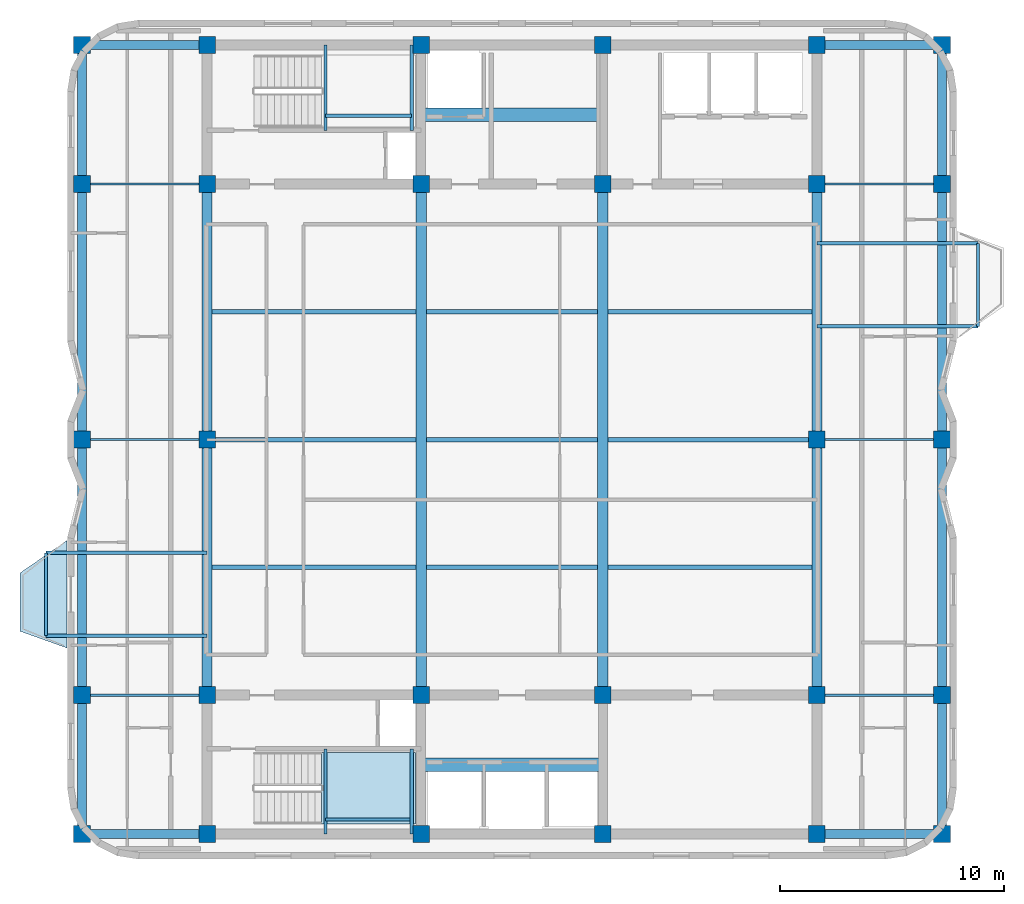
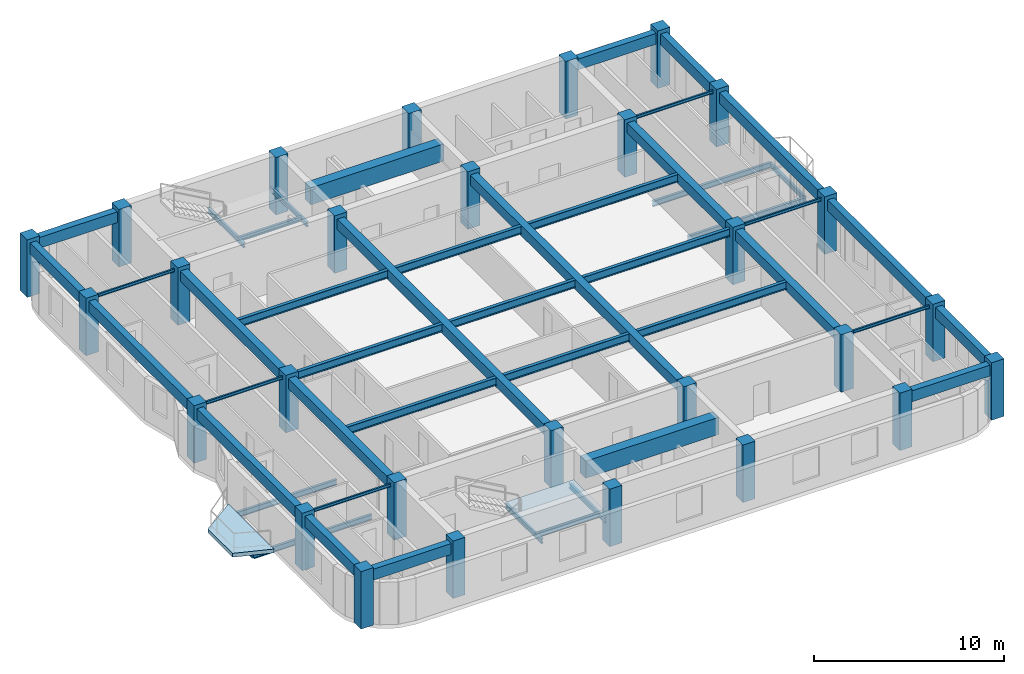
# One storey, part 1 of 8: 47 beams, 28 columns, 2 slabs, 1 element without a shape of its own.
"""IFC4 building model written with IfcOpenShell, lengths in metres."""

from ifc_helpers import new_model, si_unit, direction, frame, origin, origin_2d, place, context, subcontext, project, spatial, polyline, rectangle, i_section, outline, extrude, material, layer, layer_set, material_profile, profile_set, type_object, element, aggregate, save


model = new_model("IFC4")

# Units and contexts
model_context = context("Model", 3, precision=1e-05, world=origin(), true_north=direction((0.0, 1.0)))
body_context = subcontext(model_context, "Body", "Model", "MODEL_VIEW")
ifc_project = project(units=[si_unit("LENGTHUNIT", "METRE"), si_unit("AREAUNIT", "SQUARE_METRE"), si_unit("VOLUMEUNIT", "CUBIC_METRE"), si_unit("PLANEANGLEUNIT", "RADIAN"), si_unit("MASSUNIT", "GRAM", prefix="KILO")], contexts=[model_context])

# Site, building, storey
site_placement = place(None, origin())
site = spatial("IfcSite", under=ifc_project, at=site_placement, CompositionType="ELEMENT")
building_placement = place(site_placement, origin())
building = spatial("IfcBuilding", under=site, at=building_placement, Name="Svetorya Sky Lyceum", CompositionType="ELEMENT")
storey_placement = place(building_placement, frame((0.0, 0.0, 263.89990234375)))
storey = spatial("IfcBuildingStorey", under=building, at=storey_placement, Name="L66", CompositionType="ELEMENT", Elevation=263.89990234375)

# Columns
ifc_material_1 = material(Name="Concrete C40/50", Category="concrete")
ifc_material_profile_1 = material_profile(ifc_material_1, rectangle(XDim=0.75, YDim=0.75, at=origin_2d()), Name="RC COL 750x750")
ifc_profile_set_1 = profile_set([ifc_material_profile_1], Name="Concrete C40/50")
column_type = type_object("IfcColumnType", Name="COL-RC-750", PredefinedType="COLUMN", material=ifc_profile_set_1)
for number, where, z_axis, x_axis, name in (
    (1, (25.60009765625, 10.60009765625, 0.0), (0.0, 0.0, 1.0), (1.0, 0.0, 0.0), "L66 Core Column CS-11"),
    (2, (25.60009765625, 16.800048828125, 0.0), (0.0, 0.0, 1.0), (1.0, 0.0, 0.0), "L66 Core Column CS-12"),
    (3, (35.14990234375, 10.60009765625, 0.0), (0.0, 0.0, 1.0), (1.0, 0.0, 0.0), "L66 Core Column CS-21"),
    (4, (35.14990234375, 16.800048828125, 0.0), (0.0, 0.0, 1.0), (1.0, 0.0, 0.0), "L66 Core Column CS-22"),
    (5, (43.25, 10.60009765625, 0.0), (0.0, 0.0, 1.0), (1.0, 0.0, 0.0), "L66 Core Column CS-31"),
    (6, (43.25, 16.800048828125, 0.0), (0.0, 0.0, 1.0), (1.0, 0.0, 0.0), "L66 Core Column CS-32"),
    (7, (52.800048828125, 10.60009765625, 0.0), (0.0, 0.0, 1.0), (1.0, 0.0, 0.0), "L66 Core Column CS-41"),
    (8, (52.800048828125, 16.800048828125, 0.0), (0.0, 0.0, 1.0), (1.0, 0.0, 0.0), "L66 Core Column CS-42"),
    (9, (25.60009765625, 39.60009765625, 0.0), (0.0, 0.0, 1.0), (1.0, 0.0, 0.0), "L66 Core Column CN-11"),
    (10, (25.60009765625, 45.800048828125, 0.0), (0.0, 0.0, 1.0), (1.0, 0.0, 0.0), "L66 Core Column CN-12"),
    (11, (35.14990234375, 39.60009765625, 0.0), (0.0, 0.0, 1.0), (1.0, 0.0, 0.0), "L66 Core Column CN-21"),
    (12, (35.14990234375, 45.800048828125, 0.0), (0.0, 0.0, 1.0), (1.0, 0.0, 0.0), "L66 Core Column CN-22"),
    (13, (43.25, 39.60009765625, 0.0), (0.0, 0.0, 1.0), (1.0, 0.0, 0.0), "L66 Core Column CN-31"),
    (14, (43.25, 45.800048828125, 0.0), (0.0, 0.0, 1.0), (1.0, 0.0, 0.0), "L66 Core Column CN-32"),
    (15, (52.800048828125, 39.60009765625, 0.0), (0.0, 0.0, 1.0), (1.0, 0.0, 0.0), "L66 Core Column CN-41"),
    (16, (52.800048828125, 45.800048828125, 0.0), (0.0, 0.0, 1.0), (1.0, 0.0, 0.0), "L66 Core Column CN-42"),
    (17, (25.60009765625, 28.199951171875, 0.0), (0.0, 0.0, 1.0), (1.0, 0.0, 0.0), "L66 Core Column CM-W"),
    (18, (52.800048828125, 28.199951171875, 0.0), (0.0, 0.0, 1.0), (1.0, 0.0, 0.0), "L66 Core Column CM-E"),
    (19, (20.010009765625, 10.60009765625, 0.0), (0.0, 0.0, 1.0), (1.0, 0.0, 0.0), "L66 Perimeter Column W1"),
    (20, (58.389892578125, 10.60009765625, 0.0), (0.0, 0.0, 1.0), (1.0, 0.0, 0.0), "L66 Perimeter Column E1"),
    (21, (20.010009765625, 16.800048828125, 0.0), (0.0, 0.0, 1.0), (1.0, 0.0, 0.0), "L66 Perimeter Column W2"),
    (22, (58.389892578125, 16.800048828125, 0.0), (0.0, 0.0, 1.0), (1.0, 0.0, 0.0), "L66 Perimeter Column E2"),
    (23, (20.010009765625, 28.199951171875, 0.0), (0.0, 0.0, 1.0), (1.0, 0.0, 0.0), "L66 Perimeter Column W3"),
    (24, (58.389892578125, 28.199951171875, 0.0), (0.0, 0.0, 1.0), (1.0, 0.0, 0.0), "L66 Perimeter Column E3"),
    (25, (20.010009765625, 39.60009765625, 0.0), (0.0, 0.0, 1.0), (1.0, 0.0, 0.0), "L66 Perimeter Column W4"),
    (26, (58.389892578125, 39.60009765625, 0.0), (0.0, 0.0, 1.0), (1.0, 0.0, 0.0), "L66 Perimeter Column E4"),
    (27, (20.010009765625, 45.800048828125, 0.0), (0.0, 0.0, 1.0), (1.0, 0.0, 0.0), "L66 Perimeter Column W5"),
    (28, (58.389892578125, 45.800048828125, 0.0), (0.0, 0.0, 1.0), (1.0, 0.0, 0.0), "L66 Perimeter Column E5"),
):
    element("IfcColumn", number, at=place(storey_placement, frame(where, z_axis=z_axis, x_axis=x_axis)), inside=storey, type_object=column_type, Name=name, PredefinedType="COLUMN", context=body_context, shape_type="SweptSolid", body=[
        extrude(rectangle(XDim=0.75, YDim=0.75, at=origin_2d()), origin(), (0.0, 0.0, 1.0), 3.7001953125),
    ])

# Beams
ifc_material_2 = material(Name="Concrete C60/75", Category="concrete")
ifc_material_profile_2 = material_profile(ifc_material_2, rectangle(XDim=0.60009765625, YDim=1.10009765625, at=origin_2d()), Name="RC COUPLING 600x1100")
ifc_profile_set_2 = profile_set([ifc_material_profile_2], Name="Concrete C60/75")
beam_type_1 = type_object("IfcBeamType", Name="BM-CPL-1100", PredefinedType="LINTEL", material=ifc_profile_set_2)
for number, where, z_axis, x_axis, name in (
    (29, (35.14990234375, 13.699951171875, 2.900146484375), (1.0, 0.0, 0.0), (0.0, 1.0, 0.0), "L66 SC Core Coupling Beam"),
    (30, (35.14990234375, 42.699951171875, 2.900146484375), (1.0, 0.0, 0.0), (0.0, 1.0, 0.0), "L66 NC Core Coupling Beam"),
):
    element("IfcBeam", number, at=place(storey_placement, frame(where, z_axis=z_axis, x_axis=x_axis)), inside=storey, type_object=beam_type_1, Name=name, PredefinedType="LINTEL", context=body_context, shape_type="SweptSolid", body=[
        extrude(rectangle(XDim=0.60009765625, YDim=1.10009765625, at=origin_2d()), origin(), (0.0, 0.0, 1.0), 8.10009765625),
    ])
ifc_material_profile_3 = material_profile(ifc_material_1, rectangle(XDim=0.449951171875, YDim=0.64990234375, at=origin_2d()), Name="RC BEAM 450x650")
ifc_profile_set_3 = profile_set([ifc_material_profile_3], Name="Concrete C40/50")
beam_type_2 = type_object("IfcBeamType", Name="BM-RC-650", PredefinedType="BEAM", material=ifc_profile_set_3)
beam_1_placement = place(storey_placement, frame((25.60009765625, 16.800048828125, 3.125), z_axis=(0.0, 1.0, 0.0), x_axis=(-1.0, 0.0, 0.0)))
element("IfcBeam", 31, at=beam_1_placement, inside=storey, type_object=beam_type_2, Name="L66 Central Bay Primary Girder CG-1A", PredefinedType="BEAM", context=body_context, shape_type="SweptSolid", body=[
    extrude(rectangle(XDim=0.449951171875, YDim=0.64990234375, at=origin_2d()), origin(), (0.0, 0.0, 1.0), 11.39990234375),
])
beam_2_placement = place(storey_placement, frame((25.60009765625, 28.199951171875, 3.125), z_axis=(0.0, 1.0, 0.0), x_axis=(-1.0, 0.0, 0.0)))
element("IfcBeam", 32, at=beam_2_placement, inside=storey, type_object=beam_type_2, Name="L66 Central Bay Primary Girder CG-1B", PredefinedType="BEAM", context=body_context, shape_type="SweptSolid", body=[
    extrude(rectangle(XDim=0.449951171875, YDim=0.64990234375, at=origin_2d()), origin(), (0.0, 0.0, 1.0), 11.400146484375),
])
for number, where, z_axis, x_axis, name in (
    (33, (35.14990234375, 16.800048828125, 3.125), (0.0, 1.0, 0.0), (-1.0, 0.0, 0.0), "L66 Central Bay Primary Girder CG-2"),
    (34, (43.25, 16.800048828125, 3.125), (0.0, 1.0, 0.0), (-1.0, 0.0, 0.0), "L66 Central Bay Primary Girder CG-3"),
):
    element("IfcBeam", number, at=place(storey_placement, frame(where, z_axis=z_axis, x_axis=x_axis)), inside=storey, type_object=beam_type_2, Name=name, PredefinedType="BEAM", context=body_context, shape_type="SweptSolid", body=[
        extrude(rectangle(XDim=0.449951171875, YDim=0.64990234375, at=origin_2d()), origin(), (0.0, 0.0, 1.0), 22.800048828125),
    ])
beam_3_placement = place(storey_placement, frame((52.800048828125, 16.800048828125, 3.125), z_axis=(0.0, 1.0, 0.0), x_axis=(-1.0, 0.0, 0.0)))
element("IfcBeam", 35, at=beam_3_placement, inside=storey, type_object=beam_type_2, Name="L66 Central Bay Primary Girder CG-4A", PredefinedType="BEAM", context=body_context, shape_type="SweptSolid", body=[
    extrude(rectangle(XDim=0.449951171875, YDim=0.64990234375, at=origin_2d()), origin(), (0.0, 0.0, 1.0), 11.39990234375),
])
beam_4_placement = place(storey_placement, frame((52.800048828125, 28.199951171875, 3.125), z_axis=(0.0, 1.0, 0.0), x_axis=(-1.0, 0.0, 0.0)))
element("IfcBeam", 36, at=beam_4_placement, inside=storey, type_object=beam_type_2, Name="L66 Central Bay Primary Girder CG-4B", PredefinedType="BEAM", context=body_context, shape_type="SweptSolid", body=[
    extrude(rectangle(XDim=0.449951171875, YDim=0.64990234375, at=origin_2d()), origin(), (0.0, 0.0, 1.0), 11.400146484375),
])
ifc_material_3 = material(Name="Concrete C50/60", Category="concrete")
ifc_material_profile_4 = material_profile(ifc_material_3, rectangle(XDim=0.39990234375, YDim=0.699951171875, at=origin_2d()), Name="RC SPANDREL 400x700")
ifc_profile_set_4 = profile_set([ifc_material_profile_4], Name="Concrete C50/60")
beam_type_3 = type_object("IfcBeamType", Name="BM-SPN-700", PredefinedType="SPANDREL", material=ifc_profile_set_4)
for number, where, z_axis, x_axis, name in (
    (37, (20.010009765625, 10.60009765625, 3.10009765625), (1.0, 0.0, 0.0), (0.0, 1.0, 0.0), "L66 Tie Spandrel SW"),
    (38, (20.010009765625, 45.800048828125, 3.10009765625), (1.0, 0.0, 0.0), (0.0, 1.0, 0.0), "L66 Tie Spandrel NW"),
):
    element("IfcBeam", number, at=place(storey_placement, frame(where, z_axis=z_axis, x_axis=x_axis)), inside=storey, type_object=beam_type_3, Name=name, PredefinedType="SPANDREL", context=body_context, shape_type="SweptSolid", body=[
        extrude(rectangle(XDim=0.39990234375, YDim=0.699951171875, at=origin_2d()), origin(), (0.0, 0.0, 1.0), 5.590087890625),
    ])
for number, where, z_axis, x_axis, name in (
    (39, (52.800048828125, 10.60009765625, 3.10009765625), (1.0, 0.0, 0.0), (0.0, 1.0, 0.0), "L66 Tie Spandrel SE"),
    (40, (52.800048828125, 45.800048828125, 3.10009765625), (1.0, 0.0, 0.0), (0.0, 1.0, 0.0), "L66 Tie Spandrel NE"),
):
    element("IfcBeam", number, at=place(storey_placement, frame(where, z_axis=z_axis, x_axis=x_axis)), inside=storey, type_object=beam_type_3, Name=name, PredefinedType="SPANDREL", context=body_context, shape_type="SweptSolid", body=[
        extrude(rectangle(XDim=0.39990234375, YDim=0.699951171875, at=origin_2d()), origin(), (0.0, 0.0, 1.0), 5.58984375),
    ])
beam_5_placement = place(storey_placement, frame((20.010009765625, 10.60009765625, 3.10009765625), z_axis=(0.0, 1.0, 0.0), x_axis=(-1.0, 0.0, 0.0)))
element("IfcBeam", 41, at=beam_5_placement, inside=storey, type_object=beam_type_3, Name="L66 West Spandrel 1", PredefinedType="SPANDREL", context=body_context, shape_type="SweptSolid", body=[
    extrude(rectangle(XDim=0.39990234375, YDim=0.699951171875, at=origin_2d()), origin(), (0.0, 0.0, 1.0), 6.199951171875),
])
beam_6_placement = place(storey_placement, frame((20.010009765625, 16.800048828125, 3.10009765625), z_axis=(0.0, 1.0, 0.0), x_axis=(-1.0, 0.0, 0.0)))
element("IfcBeam", 42, at=beam_6_placement, inside=storey, type_object=beam_type_3, Name="L66 West Spandrel 2", PredefinedType="SPANDREL", context=body_context, shape_type="SweptSolid", body=[
    extrude(rectangle(XDim=0.39990234375, YDim=0.699951171875, at=origin_2d()), origin(), (0.0, 0.0, 1.0), 11.39990234375),
])
beam_7_placement = place(storey_placement, frame((20.010009765625, 28.199951171875, 3.10009765625), z_axis=(0.0, 1.0, 0.0), x_axis=(-1.0, 0.0, 0.0)))
element("IfcBeam", 43, at=beam_7_placement, inside=storey, type_object=beam_type_3, Name="L66 West Spandrel 3", PredefinedType="SPANDREL", context=body_context, shape_type="SweptSolid", body=[
    extrude(rectangle(XDim=0.39990234375, YDim=0.699951171875, at=origin_2d()), origin(), (0.0, 0.0, 1.0), 11.400146484375),
])
for number, where, z_axis, x_axis, name in (
    (44, (20.010009765625, 39.60009765625, 3.10009765625), (0.0, 1.0, 0.0), (-1.0, 0.0, 0.0), "L66 West Spandrel 4"),
    (45, (58.389892578125, 10.60009765625, 3.10009765625), (0.0, 1.0, 0.0), (-1.0, 0.0, 0.0), "L66 East Spandrel 1"),
):
    element("IfcBeam", number, at=place(storey_placement, frame(where, z_axis=z_axis, x_axis=x_axis)), inside=storey, type_object=beam_type_3, Name=name, PredefinedType="SPANDREL", context=body_context, shape_type="SweptSolid", body=[
        extrude(rectangle(XDim=0.39990234375, YDim=0.699951171875, at=origin_2d()), origin(), (0.0, 0.0, 1.0), 6.199951171875),
    ])
beam_8_placement = place(storey_placement, frame((58.389892578125, 16.800048828125, 3.10009765625), z_axis=(0.0, 1.0, 0.0), x_axis=(-1.0, 0.0, 0.0)))
element("IfcBeam", 46, at=beam_8_placement, inside=storey, type_object=beam_type_3, Name="L66 East Spandrel 2", PredefinedType="SPANDREL", context=body_context, shape_type="SweptSolid", body=[
    extrude(rectangle(XDim=0.39990234375, YDim=0.699951171875, at=origin_2d()), origin(), (0.0, 0.0, 1.0), 11.39990234375),
])
beam_9_placement = place(storey_placement, frame((58.389892578125, 28.199951171875, 3.10009765625), z_axis=(0.0, 1.0, 0.0), x_axis=(-1.0, 0.0, 0.0)))
element("IfcBeam", 47, at=beam_9_placement, inside=storey, type_object=beam_type_3, Name="L66 East Spandrel 3", PredefinedType="SPANDREL", context=body_context, shape_type="SweptSolid", body=[
    extrude(rectangle(XDim=0.39990234375, YDim=0.699951171875, at=origin_2d()), origin(), (0.0, 0.0, 1.0), 11.400146484375),
])
beam_10_placement = place(storey_placement, frame((58.389892578125, 39.60009765625, 3.10009765625), z_axis=(0.0, 1.0, 0.0), x_axis=(-1.0, 0.0, 0.0)))
element("IfcBeam", 48, at=beam_10_placement, inside=storey, type_object=beam_type_3, Name="L66 East Spandrel 4", PredefinedType="SPANDREL", context=body_context, shape_type="SweptSolid", body=[
    extrude(rectangle(XDim=0.39990234375, YDim=0.699951171875, at=origin_2d()), origin(), (0.0, 0.0, 1.0), 6.199951171875),
])
ifc_material_4 = material(Name="Steel S355", Category="steel")
ifc_material_profile_5 = material_profile(ifc_material_4, i_section(OverallWidth=0.10009765625, OverallDepth=0.199951171875, WebThickness=0.005615234375, FlangeThickness=0.008544921875, at=origin_2d()), Name="GOST 20B1")
ifc_profile_set_5 = profile_set([ifc_material_profile_5], Name="Steel S355")
beam_type_4 = type_object("IfcBeamType", Name="BM-STL-20B1", PredefinedType="JOIST", material=ifc_profile_set_5)
beam_11_placement = place(storey_placement, frame((20.010009765625, 16.800048828125, 3.35009765625), z_axis=(1.0, 0.0, 0.0), x_axis=(0.0, 1.0, 0.0)))
element("IfcBeam", 49, at=beam_11_placement, inside=storey, type_object=beam_type_4, Name="L66 West Wing Floor Joist W2", PredefinedType="JOIST", context=body_context, shape_type="SweptSolid", body=[
    extrude(i_section(OverallWidth=0.10009765625, OverallDepth=0.199951171875, WebThickness=0.005615234375, FlangeThickness=0.008544921875, at=origin_2d()), origin(), (0.0, 0.0, 1.0), 5.590087890625),
])
beam_12_placement = place(storey_placement, frame((52.800048828125, 16.800048828125, 3.35009765625), z_axis=(1.0, 0.0, 0.0), x_axis=(0.0, 1.0, 0.0)))
element("IfcBeam", 50, at=beam_12_placement, inside=storey, type_object=beam_type_4, Name="L66 East Wing Floor Joist E2", PredefinedType="JOIST", context=body_context, shape_type="SweptSolid", body=[
    extrude(i_section(OverallWidth=0.10009765625, OverallDepth=0.199951171875, WebThickness=0.005615234375, FlangeThickness=0.008544921875, at=origin_2d()), origin(), (0.0, 0.0, 1.0), 5.58984375),
])
beam_13_placement = place(storey_placement, frame((20.010009765625, 28.199951171875, 3.35009765625), z_axis=(1.0, 0.0, 0.0), x_axis=(0.0, 1.0, 0.0)))
element("IfcBeam", 51, at=beam_13_placement, inside=storey, type_object=beam_type_4, Name="L66 West Wing Floor Joist W3", PredefinedType="JOIST", context=body_context, shape_type="SweptSolid", body=[
    extrude(i_section(OverallWidth=0.10009765625, OverallDepth=0.199951171875, WebThickness=0.005615234375, FlangeThickness=0.008544921875, at=origin_2d()), origin(), (0.0, 0.0, 1.0), 5.590087890625),
])
beam_14_placement = place(storey_placement, frame((52.800048828125, 28.199951171875, 3.35009765625), z_axis=(1.0, 0.0, 0.0), x_axis=(0.0, 1.0, 0.0)))
element("IfcBeam", 52, at=beam_14_placement, inside=storey, type_object=beam_type_4, Name="L66 East Wing Floor Joist E3", PredefinedType="JOIST", context=body_context, shape_type="SweptSolid", body=[
    extrude(i_section(OverallWidth=0.10009765625, OverallDepth=0.199951171875, WebThickness=0.005615234375, FlangeThickness=0.008544921875, at=origin_2d()), origin(), (0.0, 0.0, 1.0), 5.58984375),
])
beam_15_placement = place(storey_placement, frame((20.010009765625, 39.60009765625, 3.35009765625), z_axis=(1.0, 0.0, 0.0), x_axis=(0.0, 1.0, 0.0)))
element("IfcBeam", 53, at=beam_15_placement, inside=storey, type_object=beam_type_4, Name="L66 West Wing Floor Joist W4", PredefinedType="JOIST", context=body_context, shape_type="SweptSolid", body=[
    extrude(i_section(OverallWidth=0.10009765625, OverallDepth=0.199951171875, WebThickness=0.005615234375, FlangeThickness=0.008544921875, at=origin_2d()), origin(), (0.0, 0.0, 1.0), 5.590087890625),
])
beam_16_placement = place(storey_placement, frame((52.800048828125, 39.60009765625, 3.35009765625), z_axis=(1.0, 0.0, 0.0), x_axis=(0.0, 1.0, 0.0)))
element("IfcBeam", 54, at=beam_16_placement, inside=storey, type_object=beam_type_4, Name="L66 East Wing Floor Joist E4", PredefinedType="JOIST", context=body_context, shape_type="SweptSolid", body=[
    extrude(i_section(OverallWidth=0.10009765625, OverallDepth=0.199951171875, WebThickness=0.005615234375, FlangeThickness=0.008544921875, at=origin_2d()), origin(), (0.0, 0.0, 1.0), 5.58984375),
])
ifc_material_profile_6 = material_profile(ifc_material_4, i_section(OverallWidth=0.14990234375, OverallDepth=0.299072265625, WebThickness=0.006591796875, FlangeThickness=0.010498046875, at=origin_2d()), Name="GOST 30B2")
ifc_profile_set_6 = profile_set([ifc_material_profile_6], Name="Steel S355")
beam_type_5 = type_object("IfcBeamType", Name="BM-STL-30B2", PredefinedType="JOIST", material=ifc_profile_set_6)
for number, where, z_axis, x_axis, name in (
    (55, (18.409912109375, 19.449951171875, -0.42431640625), (0.0, 1.0, 0.0), (-1.0, 0.0, 0.0), "L66 Balcony Edge Tie BAL-W1"),
    (56, (59.989990234375, 33.25, -0.42431640625), (0.0, 1.0, 0.0), (-1.0, 0.0, 0.0), "L66 Balcony Edge Tie BAL-E1"),
):
    element("IfcBeam", number, at=place(storey_placement, frame(where, z_axis=z_axis, x_axis=x_axis)), inside=storey, type_object=beam_type_5, Name=name, PredefinedType="JOIST", context=body_context, shape_type="SweptSolid", body=[
        extrude(i_section(OverallWidth=0.14990234375, OverallDepth=0.299072265625, WebThickness=0.006591796875, FlangeThickness=0.010498046875, at=origin_2d()), origin(), (0.0, 0.0, 1.0), 3.699951171875),
    ])
for number, where, z_axis, x_axis, name in (
    (57, (30.8798828125, 10.60009765625, 1.50048828125), (0.0, 1.0, 0.0), (-1.0, 0.0, 0.0), "L66 Stair ST-S Half-Landing Support Beam 74.1"),
    (58, (34.719970703125, 10.60009765625, 1.50048828125), (0.0, 1.0, 0.0), (-1.0, 0.0, 0.0), "L66 Stair ST-S Half-Landing Support Beam 74.2"),
):
    element("IfcBeam", number, at=place(storey_placement, frame(where, z_axis=z_axis, x_axis=x_axis)), inside=storey, type_object=beam_type_5, Name=name, PredefinedType="JOIST", context=body_context, shape_type="SweptSolid", body=[
        extrude(i_section(OverallWidth=0.14990234375, OverallDepth=0.299072265625, WebThickness=0.006591796875, FlangeThickness=0.010498046875, at=origin_2d()), origin(), (0.0, 0.0, 1.0), 3.7998046875),
    ])
beam_17_placement = place(storey_placement, frame((30.8798828125, 11.25, 1.50048828125), z_axis=(1.0, 0.0, 0.0), x_axis=(0.0, 1.0, 0.0)))
element("IfcBeam", 59, at=beam_17_placement, inside=storey, type_object=beam_type_5, Name="L66 Stair ST-S Half-Landing Cross Tie 74", PredefinedType="JOIST", context=body_context, shape_type="SweptSolid", body=[
    extrude(i_section(OverallWidth=0.14990234375, OverallDepth=0.299072265625, WebThickness=0.006591796875, FlangeThickness=0.010498046875, at=origin_2d()), origin(), (0.0, 0.0, 1.0), 3.840087890625),
])
for number, where, z_axis, x_axis, name in (
    (60, (30.8798828125, 42.0, 1.50048828125), (0.0, 1.0, 0.0), (-1.0, 0.0, 0.0), "L66 Stair ST-N Half-Landing Support Beam 74.1"),
    (61, (34.719970703125, 42.0, 1.50048828125), (0.0, 1.0, 0.0), (-1.0, 0.0, 0.0), "L66 Stair ST-N Half-Landing Support Beam 74.2"),
):
    element("IfcBeam", number, at=place(storey_placement, frame(where, z_axis=z_axis, x_axis=x_axis)), inside=storey, type_object=beam_type_5, Name=name, PredefinedType="JOIST", context=body_context, shape_type="SweptSolid", body=[
        extrude(i_section(OverallWidth=0.14990234375, OverallDepth=0.299072265625, WebThickness=0.006591796875, FlangeThickness=0.010498046875, at=origin_2d()), origin(), (0.0, 0.0, 1.0), 3.800048828125),
    ])
beam_18_placement = place(storey_placement, frame((30.8798828125, 42.64990234375, 1.50048828125), z_axis=(1.0, 0.0, 0.0), x_axis=(0.0, 1.0, 0.0)))
element("IfcBeam", 62, at=beam_18_placement, inside=storey, type_object=beam_type_5, Name="L66 Stair ST-N Half-Landing Cross Tie 74", PredefinedType="JOIST", context=body_context, shape_type="SweptSolid", body=[
    extrude(i_section(OverallWidth=0.14990234375, OverallDepth=0.299072265625, WebThickness=0.006591796875, FlangeThickness=0.010498046875, at=origin_2d()), origin(), (0.0, 0.0, 1.0), 3.840087890625),
])
ifc_material_profile_7 = material_profile(ifc_material_4, i_section(OverallWidth=0.155029296875, OverallDepth=0.34912109375, WebThickness=0.007080078125, FlangeThickness=0.011474609375, at=origin_2d()), Name="GOST 35B2")
ifc_profile_set_7 = profile_set([ifc_material_profile_7], Name="Steel S355")
beam_type_6 = type_object("IfcBeamType", Name="BM-STL-35B2", PredefinedType="JOIST", material=ifc_profile_set_7)
for number, where, z_axis, x_axis, name in (
    (63, (25.60009765625, 19.449951171875, -0.42431640625), (-1.0, 0.0, 0.0), (0.0, -1.0, 0.0), "L66 Balcony Cantilever Beam BAL-W1-1"),
    (64, (25.60009765625, 23.14990234375, -0.42431640625), (-1.0, 0.0, 0.0), (0.0, -1.0, 0.0), "L66 Balcony Cantilever Beam BAL-W1-2"),
):
    element("IfcBeam", number, at=place(storey_placement, frame(where, z_axis=z_axis, x_axis=x_axis)), inside=storey, type_object=beam_type_6, Name=name, PredefinedType="JOIST", context=body_context, shape_type="SweptSolid", body=[
        extrude(i_section(OverallWidth=0.155029296875, OverallDepth=0.34912109375, WebThickness=0.007080078125, FlangeThickness=0.011474609375, at=origin_2d()), origin(), (0.0, 0.0, 1.0), 7.190185546875),
    ])
for number, where, z_axis, x_axis, name in (
    (65, (52.800048828125, 33.25, -0.42431640625), (1.0, 0.0, 0.0), (0.0, 1.0, 0.0), "L66 Balcony Cantilever Beam BAL-E1-1"),
    (66, (52.800048828125, 36.949951171875, -0.42431640625), (1.0, 0.0, 0.0), (0.0, 1.0, 0.0), "L66 Balcony Cantilever Beam BAL-E1-2"),
):
    element("IfcBeam", number, at=place(storey_placement, frame(where, z_axis=z_axis, x_axis=x_axis)), inside=storey, type_object=beam_type_6, Name=name, PredefinedType="JOIST", context=body_context, shape_type="SweptSolid", body=[
        extrude(i_section(OverallWidth=0.155029296875, OverallDepth=0.34912109375, WebThickness=0.007080078125, FlangeThickness=0.011474609375, at=origin_2d()), origin(), (0.0, 0.0, 1.0), 7.18994140625),
    ])
ifc_material_profile_8 = material_profile(ifc_material_4, i_section(OverallWidth=0.198974609375, OverallDepth=0.498046875, WebThickness=0.010009765625, FlangeThickness=0.01611328125, at=origin_2d()), Name="GOST 50B2")
ifc_profile_set_8 = profile_set([ifc_material_profile_8], Name="Steel S355")
beam_type_7 = type_object("IfcBeamType", Name="BM-STL-50B2", PredefinedType="BEAM", material=ifc_profile_set_8)
beam_19_placement = place(storey_placement, frame((25.824951171875, 22.5, 3.201171875), z_axis=(1.0, 0.0, 0.0), x_axis=(0.0, 1.0, 0.0)))
element("IfcBeam", 67, at=beam_19_placement, inside=storey, type_object=beam_type_7, Name="L66 Central Floor Joist CJ-1.1", PredefinedType="BEAM", context=body_context, shape_type="SweptSolid", body=[
    extrude(i_section(OverallWidth=0.198974609375, OverallDepth=0.498046875, WebThickness=0.010009765625, FlangeThickness=0.01611328125, at=origin_2d()), origin(), (0.0, 0.0, 1.0), 9.10009765625),
])
beam_20_placement = place(storey_placement, frame((35.375, 22.5, 3.201171875), z_axis=(1.0, 0.0, 0.0), x_axis=(0.0, 1.0, 0.0)))
element("IfcBeam", 68, at=beam_20_placement, inside=storey, type_object=beam_type_7, Name="L66 Central Floor Joist CJ-1.2", PredefinedType="BEAM", context=body_context, shape_type="SweptSolid", body=[
    extrude(i_section(OverallWidth=0.198974609375, OverallDepth=0.498046875, WebThickness=0.010009765625, FlangeThickness=0.01611328125, at=origin_2d()), origin(), (0.0, 0.0, 1.0), 7.64990234375),
])
beam_21_placement = place(storey_placement, frame((43.47509765625, 22.5, 3.201171875), z_axis=(1.0, 0.0, 0.0), x_axis=(0.0, 1.0, 0.0)))
element("IfcBeam", 69, at=beam_21_placement, inside=storey, type_object=beam_type_7, Name="L66 Central Floor Joist CJ-1.3", PredefinedType="BEAM", context=body_context, shape_type="SweptSolid", body=[
    extrude(i_section(OverallWidth=0.198974609375, OverallDepth=0.498046875, WebThickness=0.010009765625, FlangeThickness=0.01611328125, at=origin_2d()), origin(), (0.0, 0.0, 1.0), 9.099853515625),
])
beam_22_placement = place(storey_placement, frame((25.824951171875, 28.199951171875, 3.201171875), z_axis=(1.0, 0.0, 0.0), x_axis=(0.0, 1.0, 0.0)))
element("IfcBeam", 70, at=beam_22_placement, inside=storey, type_object=beam_type_7, Name="L66 Central Floor Joist CJ-2.1", PredefinedType="BEAM", context=body_context, shape_type="SweptSolid", body=[
    extrude(i_section(OverallWidth=0.198974609375, OverallDepth=0.498046875, WebThickness=0.010009765625, FlangeThickness=0.01611328125, at=origin_2d()), origin(), (0.0, 0.0, 1.0), 9.10009765625),
])
beam_23_placement = place(storey_placement, frame((35.375, 28.199951171875, 3.201171875), z_axis=(1.0, 0.0, 0.0), x_axis=(0.0, 1.0, 0.0)))
element("IfcBeam", 71, at=beam_23_placement, inside=storey, type_object=beam_type_7, Name="L66 Central Floor Joist CJ-2.2", PredefinedType="BEAM", context=body_context, shape_type="SweptSolid", body=[
    extrude(i_section(OverallWidth=0.198974609375, OverallDepth=0.498046875, WebThickness=0.010009765625, FlangeThickness=0.01611328125, at=origin_2d()), origin(), (0.0, 0.0, 1.0), 7.64990234375),
])
beam_24_placement = place(storey_placement, frame((43.47509765625, 28.199951171875, 3.201171875), z_axis=(1.0, 0.0, 0.0), x_axis=(0.0, 1.0, 0.0)))
element("IfcBeam", 72, at=beam_24_placement, inside=storey, type_object=beam_type_7, Name="L66 Central Floor Joist CJ-2.3", PredefinedType="BEAM", context=body_context, shape_type="SweptSolid", body=[
    extrude(i_section(OverallWidth=0.198974609375, OverallDepth=0.498046875, WebThickness=0.010009765625, FlangeThickness=0.01611328125, at=origin_2d()), origin(), (0.0, 0.0, 1.0), 9.099853515625),
])
beam_25_placement = place(storey_placement, frame((25.824951171875, 33.89990234375, 3.201171875), z_axis=(1.0, 0.0, 0.0), x_axis=(0.0, 1.0, 0.0)))
element("IfcBeam", 73, at=beam_25_placement, inside=storey, type_object=beam_type_7, Name="L66 Central Floor Joist CJ-3.1", PredefinedType="BEAM", context=body_context, shape_type="SweptSolid", body=[
    extrude(i_section(OverallWidth=0.198974609375, OverallDepth=0.498046875, WebThickness=0.010009765625, FlangeThickness=0.01611328125, at=origin_2d()), origin(), (0.0, 0.0, 1.0), 9.10009765625),
])
beam_26_placement = place(storey_placement, frame((35.375, 33.89990234375, 3.201171875), z_axis=(1.0, 0.0, 0.0), x_axis=(0.0, 1.0, 0.0)))
element("IfcBeam", 74, at=beam_26_placement, inside=storey, type_object=beam_type_7, Name="L66 Central Floor Joist CJ-3.2", PredefinedType="BEAM", context=body_context, shape_type="SweptSolid", body=[
    extrude(i_section(OverallWidth=0.198974609375, OverallDepth=0.498046875, WebThickness=0.010009765625, FlangeThickness=0.01611328125, at=origin_2d()), origin(), (0.0, 0.0, 1.0), 7.64990234375),
])
beam_27_placement = place(storey_placement, frame((43.47509765625, 33.89990234375, 3.201171875), z_axis=(1.0, 0.0, 0.0), x_axis=(0.0, 1.0, 0.0)))
element("IfcBeam", 75, at=beam_27_placement, inside=storey, type_object=beam_type_7, Name="L66 Central Floor Joist CJ-3.3", PredefinedType="BEAM", context=body_context, shape_type="SweptSolid", body=[
    extrude(i_section(OverallWidth=0.198974609375, OverallDepth=0.498046875, WebThickness=0.010009765625, FlangeThickness=0.01611328125, at=origin_2d()), origin(), (0.0, 0.0, 1.0), 9.099853515625),
])

# Slab
ifc_layer_1 = layer(ifc_material_1, 0.25)
ifc_layer_set_1 = layer_set([ifc_layer_1], Name="Concrete C40/50")
slab_type_1 = type_object("IfcSlabType", Name="SL-BAL-250", PredefinedType="FLOOR", material=ifc_layer_set_1)
slab_1_placement = place(storey_placement, frame((0.0, 0.0, -0.25)))
element("IfcSlab", 76, at=slab_1_placement, inside=storey, type_object=slab_type_1, Name="L66 Chamfered Loggia Balcony BAL-W1", PredefinedType="FLOOR", context=body_context, shape_type="SweptSolid", body=[
    extrude(outline(polyline([(19.35009765625, 18.89990234375), (19.35009765625, 23.699951171875), (17.25, 22.25), (17.25, 19.64990234375), (19.35009765625, 18.89990234375)])), origin(), (0.0, 0.0, 1.0), 0.25),
])

# Stair, slab
stair_type = type_object("IfcStairType", Name="STR-ST-S", PredefinedType="HALF_TURN_STAIR", material=ifc_material_1)
stair_placement = place(storey_placement, origin())
stair = element("IfcStair", 77, at=stair_placement, inside=storey, type_object=stair_type, Name="L66 South Core Smoke-Free Exit Stair N2", PredefinedType="HALF_TURN_STAIR")
ifc_layer_2 = layer(ifc_material_1, 0.199951171875)
ifc_layer_set_2 = layer_set([ifc_layer_2], Name="Concrete C40/50")
slab_type_2 = type_object("IfcSlabType", Name="SL-STR-LAND-200", PredefinedType="LANDING", material=ifc_layer_set_2)
slab_2_placement = place(storey_placement, frame((0.0, 0.0, 1.650146484375)))
slab_2 = element("IfcSlab", 78, at=slab_2_placement, type_object=slab_type_2, Name="ST-S landing 1", PredefinedType="LANDING", context=body_context, shape_type="SweptSolid", body=[
    extrude(outline(polyline([(30.699951171875, 11.050048828125), (34.89990234375, 11.050048828125), (34.89990234375, 14.25), (30.699951171875, 14.25), (30.699951171875, 11.050048828125)])), origin(), (0.0, 0.0, 1.0), 0.199951171875),
])
aggregate(stair, [slab_2])

save(model, "model.ifc")
